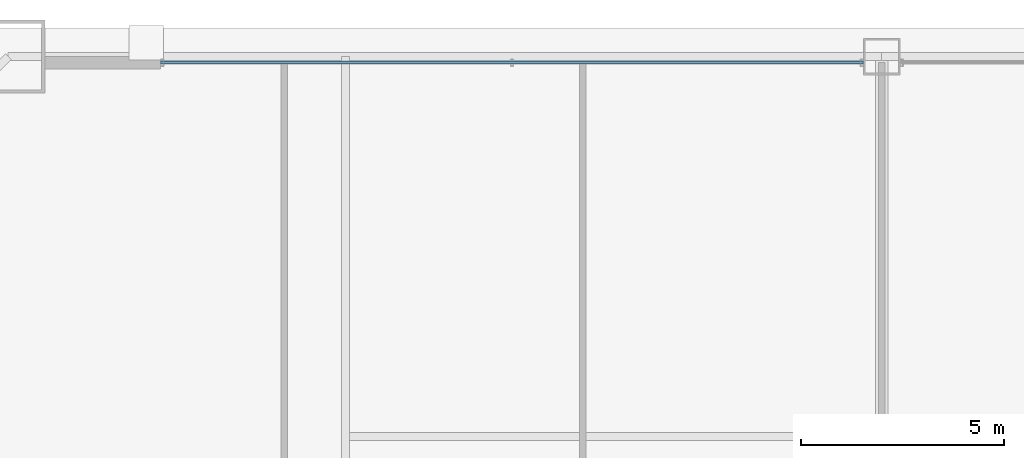
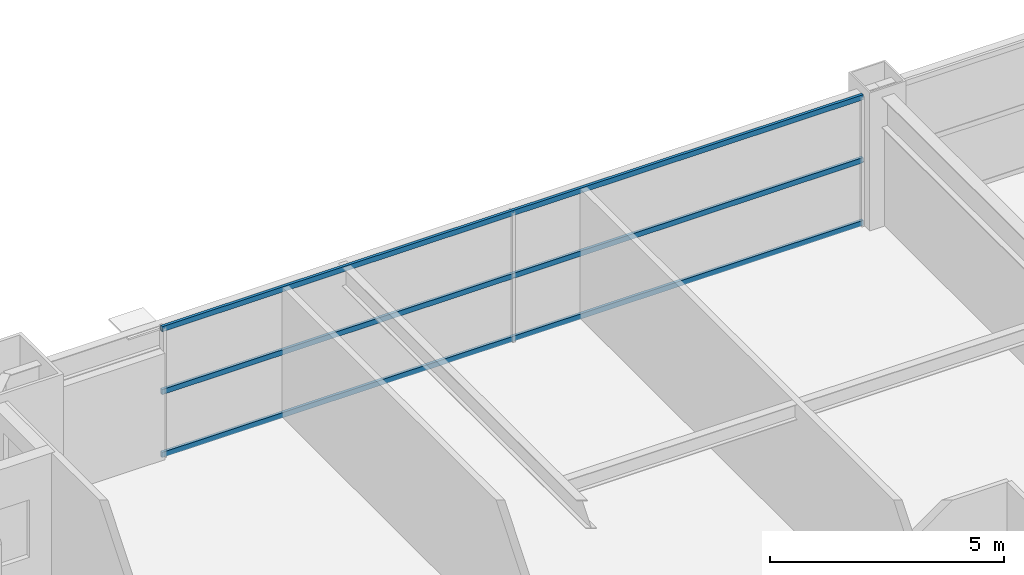
# One storey, part 30 of 45: 3 members, 1 element without a shape of its own.
"""IFC4 building model written with IfcOpenShell, lengths in metres."""

import ifcopenshell
import ifcopenshell.guid

model = None  # the IFC model being written
_history = None  # IfcOwnerHistory: only IFC2X3 demands one
_inside = {}  # id of a spatial element -> (the spatial element, [elements in it])
_under = {}  # id of a project, library or spatial element -> (it, [spatial elements below it])
_declared = {}  # id of a project -> (the project, [libraries it declares])
_typed = {}  # id of a type object -> (the type object, [elements of that type])
_made_of = {}  # id of a material, layer set ... -> (it, [elements and type objects made of it])


def new_model(schema):
    """Start an empty IFC model of exactly this schema.

    Asked for "IFC4X3", IfcOpenShell would pick the latest addendum, in which some entities
    have other attributes; the version numbers below select the first issue.
    IFC2X3 requires an IfcOwnerHistory on every rooted entity: one is made here for all.
    """
    global model, _history
    if schema == "IFC4X3":
        model = ifcopenshell.file(schema_version=(4, 3, 0, 0))
    else:
        model = ifcopenshell.file(schema=schema)
    _inside.clear()
    _under.clear()
    _declared.clear()
    _typed.clear()
    _made_of.clear()
    _history = None
    if model.schema == "IFC2X3":
        org = make("IfcOrganization", Name="unknown")
        user = make(
            "IfcPersonAndOrganization",
            ThePerson=make("IfcPerson", FamilyName="unknown"),
            TheOrganization=org,
        )
        app = make(
            "IfcApplication",
            ApplicationDeveloper=org,
            Version="unknown",
            ApplicationFullName="unknown",
            ApplicationIdentifier="unknown",
        )
        _history = make(
            "IfcOwnerHistory",
            OwningUser=user,
            OwningApplication=app,
            ChangeAction="ADDED",
            CreationDate=0,
        )
    return model


def make(cls, **values):
    """One entity of the class cls with the attributes given. An attribute that is None is left unset."""
    return model.create_entity(
        cls, **{name: value for name, value in values.items() if value is not None}
    )


def rooted(cls, **values):
    """An entity with a GlobalId (a new one), such as an element, a storey or a relation."""
    return make(cls, GlobalId=ifcopenshell.guid.new(), OwnerHistory=_history, **values)


def si_unit(unit_type, name, prefix=None):
    """IfcSIUnit, for example si_unit("LENGTHUNIT", "METRE", prefix="MILLI")."""
    return make("IfcSIUnit", UnitType=unit_type, Prefix=prefix, Name=name)


def assignment(units):
    """IfcUnitAssignment: the units of a project."""
    return None if units is None else make("IfcUnitAssignment", Units=units)


def point(xyz):
    """IfcCartesianPoint."""
    return None if xyz is None else make("IfcCartesianPoint", Coordinates=xyz)


def direction(xyz):
    """IfcDirection."""
    return None if xyz is None else make("IfcDirection", DirectionRatios=xyz)


def frame(location, z_axis=None, x_axis=None):
    """IfcAxis2Placement3D, a coordinate frame: its origin and axes. An axis left out is left unset."""
    return make(
        "IfcAxis2Placement3D",
        Location=point(location),
        Axis=direction(z_axis),
        RefDirection=direction(x_axis),
    )


def frame_2d(location, x_axis=None):
    """IfcAxis2Placement2D, a coordinate frame in the plane: its origin and x axis."""
    return make(
        "IfcAxis2Placement2D", Location=point(location), RefDirection=direction(x_axis)
    )


def origin():
    """The frame at (0, 0, 0) with its axes left unset."""
    return frame((0.0, 0.0, 0.0))


def origin_2d():
    """The frame at (0, 0) in the plane with its x axis left unset."""
    return frame_2d((0.0, 0.0))


def place(relative_to, where):
    """IfcLocalPlacement: puts the frame where relative to a parent placement (None: the world)."""
    return make(
        "IfcLocalPlacement", PlacementRelTo=relative_to, RelativePlacement=where
    )


def context(
    kind, dimensions, precision=None, world=None, true_north=None, identifier=None
):
    """IfcGeometricRepresentationContext, for example the 3D "Model" context."""
    return make(
        "IfcGeometricRepresentationContext",
        ContextIdentifier=identifier,
        ContextType=kind,
        CoordinateSpaceDimension=dimensions,
        Precision=precision,
        WorldCoordinateSystem=world,
        TrueNorth=true_north,
    )


def subcontext(parent, identifier, kind, view, scale=None):
    """IfcGeometricRepresentationSubContext, for example "Body" below "Model"."""
    return make(
        "IfcGeometricRepresentationSubContext",
        ContextIdentifier=identifier,
        ContextType=kind,
        ParentContext=parent,
        TargetScale=scale,
        TargetView=view,
    )


def project(units=None, contexts=None):
    """IfcProject with its units and contexts."""
    return rooted(
        "IfcProject",
        Name="project",
        RepresentationContexts=contexts,
        UnitsInContext=assignment(units),
    )


def spatial(cls, under=None, at=None, **own):
    """A site, building, storey or space (cls), placed at a placement, below another one or the project."""
    s = rooted(cls, ObjectPlacement=at, **own)
    if under is not None:
        _under.setdefault(under.id(), (under, []))[1].append(s)
    return s


def profile(cls, at=None, kind="AREA", **sizes):
    """A parametric profile (cls). Its sizes go by their IFC names, for example OverallWidth=200.0."""
    return make(cls, ProfileType=kind, Position=at, **sizes)


def hollow_rectangle(**sizes):
    """IfcRectangleHollowProfileDef."""
    return profile("IfcRectangleHollowProfileDef", **sizes)


def extrude(swept, where, along, depth):
    """IfcExtrudedAreaSolid: the profile swept, set in the frame where, extruded along a direction by depth."""
    return make(
        "IfcExtrudedAreaSolid",
        SweptArea=swept,
        Position=where,
        ExtrudedDirection=direction(along),
        Depth=depth,
    )


def shape(context_of_items, identifier, shape_type, items):
    """IfcShapeRepresentation: the items that make up one representation, for example the "Body"."""
    return make(
        "IfcShapeRepresentation",
        ContextOfItems=context_of_items,
        RepresentationIdentifier=identifier,
        RepresentationType=shape_type,
        Items=items,
    )


def source(mapping_origin, context_of_items, identifier, shape_type, items):
    """IfcRepresentationMap: a shape defined once, which mapped items show again and again."""
    return make(
        "IfcRepresentationMap",
        MappingOrigin=mapping_origin,
        MappedRepresentation=shape(context_of_items, identifier, shape_type, items),
    )


def transform(
    local_origin,
    x_axis=None,
    y_axis=None,
    z_axis=None,
    scale=None,
    scale2=None,
    scale3=None,
    uniform=True,
):
    """IfcCartesianTransformationOperator3D, or its non-uniform kind. x_axis, y_axis, z_axis: its Axis1, 2, 3."""
    if uniform:
        return make(
            "IfcCartesianTransformationOperator3D",
            Axis1=direction(x_axis),
            Axis2=direction(y_axis),
            LocalOrigin=point(local_origin),
            Scale=scale,
            Axis3=direction(z_axis),
        )
    return make(
        "IfcCartesianTransformationOperator3DnonUniform",
        Axis1=direction(x_axis),
        Axis2=direction(y_axis),
        LocalOrigin=point(local_origin),
        Scale=scale,
        Axis3=direction(z_axis),
        Scale2=scale2,
        Scale3=scale3,
    )


def mapped(mapping_source, mapping_target):
    """IfcMappedItem: shows the shape of a source again, moved by a transform."""
    return make(
        "IfcMappedItem", MappingSource=mapping_source, MappingTarget=mapping_target
    )


def material(Name=None, Category=None):
    """IfcMaterial."""
    return make("IfcMaterial", Name=Name, Category=Category)


def layer(
    of_material, thickness, ventilated=None, Name=None, Category=None, Priority=None
):
    """IfcMaterialLayer: one layer of a wall or slab, of a material (None: an air gap)."""
    return make(
        "IfcMaterialLayer",
        Material=of_material,
        LayerThickness=thickness,
        IsVentilated=ventilated,
        Name=Name,
        Category=Category,
        Priority=Priority,
    )


def layer_set(layers, Name=None):
    """IfcMaterialLayerSet."""
    return make("IfcMaterialLayerSet", MaterialLayers=layers, LayerSetName=Name)


def material_profile(
    of_material, cross_section, Name=None, Category=None, Priority=None
):
    """IfcMaterialProfile: a cross section and its material."""
    return make(
        "IfcMaterialProfile",
        Name=Name,
        Material=of_material,
        Profile=cross_section,
        Priority=Priority,
        Category=Category,
    )


def profile_set(profiles, Name=None, composite=None):
    """IfcMaterialProfileSet."""
    return make(
        "IfcMaterialProfileSet",
        Name=Name,
        MaterialProfiles=profiles,
        CompositeProfile=composite,
    )


def made_of(thing, what):
    """Note that an element or type object is made of a material, layer set ...; save() writes the relation."""
    if what is not None:
        _made_of.setdefault(what.id(), (what, []))[1].append(thing)
    return thing


def type_object(cls, material=None, **own):
    """A type object (cls), such as IfcWallType, which elements share."""
    return made_of(rooted(cls, **own), material)


def element(
    cls,
    number,
    at=None,
    inside=None,
    cuts=None,
    type_object=None,
    material=None,
    context=None,
    identifier="Body",
    shape_type=None,
    held_by="IfcProductDefinitionShape",
    body=None,
    shapes=None,
    **own,
):
    """One element of the class cls, such as IfcWall. Its Tag is "e" and its number.

    at: its placement. inside: the storey or other place that contains it. cuts: it is an
    opening in that element (IfcRelVoidsElement). A single representation is given by context,
    identifier, shape_type and body (its items); several are given by shapes. held_by: the class
    of the entity that holds the representations. save() writes the other relations.
    """
    e = rooted(cls, Tag="e%d" % number, ObjectPlacement=at, **own)
    if body is not None:
        shapes = [shape(context, identifier, shape_type, body)]
    if shapes is not None:
        e.Representation = make(held_by, Representations=shapes)
    if inside is not None:
        _inside.setdefault(inside.id(), (inside, []))[1].append(e)
    if cuts is not None:
        rooted(
            "IfcRelVoidsElement", RelatingBuildingElement=cuts, RelatedOpeningElement=e
        )
    if type_object is not None:
        _typed.setdefault(type_object.id(), (type_object, []))[1].append(e)
    return made_of(e, material)


def aggregate(whole, parts):
    """IfcRelAggregates: a whole, such as a stair, and the parts it consists of."""
    return rooted("IfcRelAggregates", RelatingObject=whole, RelatedObjects=parts)


def save(model, path):
    """Write the relations noted so far, then the file.

    IfcRelAggregates (storeys below a building ...), IfcRelContainedInSpatialStructure (elements
    in a storey), IfcRelDefinesByType, IfcRelAssociatesMaterial and IfcRelDeclares: one each for
    every whole, place, type object, material and project.
    """
    for whole, parts in _under.values():
        aggregate(whole, parts)
    for where, things in _inside.values():
        rooted(
            "IfcRelContainedInSpatialStructure",
            RelatedElements=things,
            RelatingStructure=where,
        )
    for kind, things in _typed.values():
        rooted("IfcRelDefinesByType", RelatedObjects=things, RelatingType=kind)
    for what, things in _made_of.values():
        rooted("IfcRelAssociatesMaterial", RelatedObjects=things, RelatingMaterial=what)
    for by, libraries in _declared.values():
        rooted("IfcRelDeclares", RelatingContext=by, RelatedDefinitions=libraries)
    model.write(path)


model = new_model("IFC4")

# Units and contexts
model_context = context("Model", 3, precision=1e-05, world=origin(), true_north=direction((0.0, 1.0)))
body_context = subcontext(model_context, "Body", "Model", "MODEL_VIEW")
ifc_project = project(units=[si_unit("LENGTHUNIT", "METRE"), si_unit("AREAUNIT", "SQUARE_METRE"), si_unit("VOLUMEUNIT", "CUBIC_METRE"), si_unit("PLANEANGLEUNIT", "RADIAN"), si_unit("MASSUNIT", "GRAM", prefix="KILO"), si_unit("THERMODYNAMICTEMPERATUREUNIT", "KELVIN"), si_unit("POWERUNIT", "WATT")], contexts=[model_context])

# Site, building, storey
site_placement = place(None, origin())
site = spatial("IfcSite", under=ifc_project, at=site_placement, CompositionType="ELEMENT")
building_placement = place(site_placement, origin())
building = spatial("IfcBuilding", under=site, at=building_placement, Name="Yuzanri Waterfront Tower", CompositionType="ELEMENT")
storey_placement = place(building_placement, frame((0.0, 0.0, 34.199951171875)))
storey = spatial("IfcBuildingStorey", under=building, at=storey_placement, Name="L08", CompositionType="ELEMENT", Elevation=34.199951171875)

# Curtain wall, members
ifc_material_1 = material(Name="Anodized Architectural Bronze", Category="metal")
ifc_layer = layer(ifc_material_1, 0.159912109375)
ifc_layer_set = layer_set([ifc_layer], Name="Anodized Architectural Bronze")
curtain_wall_type = type_object("IfcCurtainWallType", Name="Anodized Bronze Hotel Lower-Tier Recessed Unitized Curtain Wall 8100", PredefinedType="NOTDEFINED", material=ifc_layer_set)
curtain_wall_placement = place(storey_placement, origin())
curtain_wall = element("IfcCurtainWall", 1, at=curtain_wall_placement, inside=storey, type_object=curtain_wall_type, Name="L08 Curtain Wall CW-L08-NL", PredefinedType="NOTDEFINED")
ifc_material_2 = material(Name="Anodized Architectural Bronze", Category="metal")
ifc_material_profile = material_profile(ifc_material_2, hollow_rectangle(XDim=0.070068359375, YDim=0.135009765625, WallThickness=0.00341796875, at=origin_2d()), Name="CWT 70x135")
ifc_profile_set = profile_set([ifc_material_profile], Name="Anodized Architectural Bronze")
member_type = type_object("IfcMemberType", Name="Anodized Bronze Standard Curtain-Wall Transom 70x135", PredefinedType="USERDEFINED", material=ifc_profile_set)
shared_shape = source(origin(), body_context, "Body", "SweptSolid", [
    extrude(hollow_rectangle(XDim=0.070068359375, YDim=0.135009765625, WallThickness=0.00341796875, at=origin_2d()), origin(), (0.0, 0.0, 1.0), 17.300048828125),
])
member_1_placement = place(storey_placement, frame((19.25, 50.75, 0.050048828125), z_axis=(1.0, 0.0, 0.0), x_axis=(0.0, 1.0, 0.0)))
member_1 = element("IfcMember", 2, at=member_1_placement, type_object=member_type, Name="CW-L08-NL Transom 1", ObjectType="TRANSOM", PredefinedType="USERDEFINED", context=body_context, shape_type="MappedRepresentation", body=[
    mapped(shared_shape, transform((0.0, 0.0, 0.0), scale=1.0)),
])
member_2_placement = place(storey_placement, frame((19.25, 50.75, 1.68994140625), z_axis=(1.0, 0.0, 0.0), x_axis=(0.0, 1.0, 0.0)))
member_2 = element("IfcMember", 3, at=member_2_placement, type_object=member_type, Name="CW-L08-NL Transom 2", ObjectType="TRANSOM", PredefinedType="USERDEFINED", context=body_context, shape_type="MappedRepresentation", body=[
    mapped(shared_shape, transform((0.0, 0.0, 0.0), scale=1.0)),
])
member_3_placement = place(storey_placement, frame((19.25, 50.75, 3.330078125), z_axis=(1.0, 0.0, 0.0), x_axis=(0.0, 1.0, 0.0)))
member_3 = element("IfcMember", 4, at=member_3_placement, type_object=member_type, Name="CW-L08-NL Transom 3", ObjectType="TRANSOM", PredefinedType="USERDEFINED", context=body_context, shape_type="MappedRepresentation", body=[
    mapped(shared_shape, transform((0.0, 0.0, 0.0), scale=1.0)),
])
aggregate(curtain_wall, [member_1, member_2, member_3])

save(model, "model.ifc")
